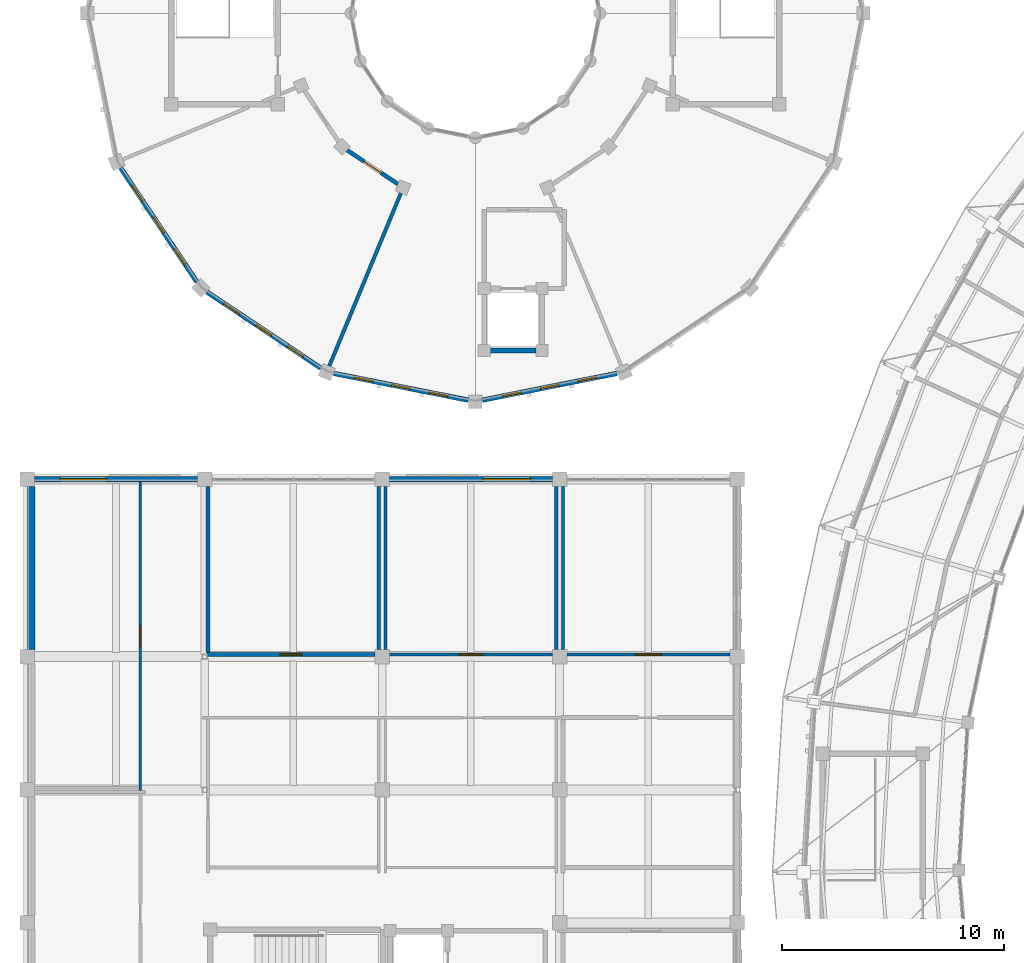
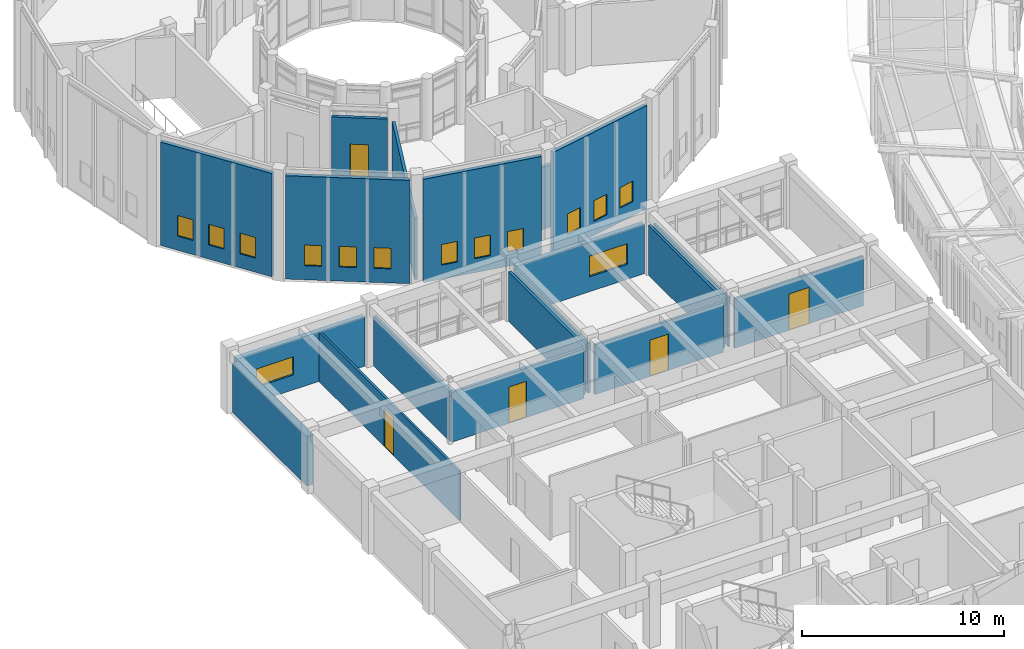
# One storey, part 125 of 149: 19 walls, 14 windows, 5 doors, 19 openings.
"""IFC4 building model written with IfcOpenShell, lengths in metres."""

from ifc_helpers import new_model, si_unit, direction, frame, frame_2d, origin, place, context, subcontext, project, spatial, rectangle, extrude, material, layer, layer_set, type_object, element, fill, save


model = new_model("IFC4")

# Units and contexts
model_context = context("Model", 3, precision=1e-05, world=origin(), true_north=direction((0.0, 1.0)))
body_context = subcontext(model_context, "Body", "Model", "MODEL_VIEW")
ifc_project = project(units=[si_unit("LENGTHUNIT", "METRE"), si_unit("AREAUNIT", "SQUARE_METRE"), si_unit("VOLUMEUNIT", "CUBIC_METRE"), si_unit("PLANEANGLEUNIT", "RADIAN"), si_unit("MASSUNIT", "GRAM", prefix="KILO")], contexts=[model_context])

# Site, building, storey
site_placement = place(None, origin())
site = spatial("IfcSite", under=ifc_project, at=site_placement, CompositionType="ELEMENT")
building_placement = place(site_placement, origin())
building = spatial("IfcBuilding", under=site, at=building_placement, Name="Celadon Cloister-Ring School", CompositionType="ELEMENT")
storey_placement = place(building_placement, frame((0.0, 0.0, 12.5)))
storey = spatial("IfcBuildingStorey", under=building, at=storey_placement, Name="L03", CompositionType="ELEMENT", Elevation=12.5)

# Wall, opening, window
ifc_material_1 = material(Name="Rendered concrete blockwork", Category="masonry")
ifc_layer_1 = layer(ifc_material_1, 0.260009765625)
ifc_layer_set_1 = layer_set([ifc_layer_1], Name="Rendered concrete blockwork")
wall_type_1 = type_object("IfcWallType", Name="WT-EX2", PredefinedType="SOLIDWALL", material=ifc_layer_set_1)
wall_1_placement = place(storey_placement, frame((0.326904296875, 76.0, 0.0), z_axis=(0.0, 0.0, 1.0), x_axis=(1.0, 0.0, 0.0)))
wall_1 = element("IfcWall", 1, at=wall_1_placement, inside=storey, type_object=wall_type_1, Name="Exterior Wall 0529", PredefinedType="SOLIDWALL", context=body_context, shape_type="SweptSolid", body=[
    extrude(rectangle(XDim=7.34619140625, YDim=0.260009765625, at=frame_2d((3.673095703125, 0.0))), origin(), (0.0, 0.0, 1.0), 3.001953125),
])
opening_1_placement = place(wall_1_placement, frame((1.154052734375, 0.0, 0.89990234375)))
opening_1 = element("IfcOpeningElement", 2, at=opening_1_placement, cuts=wall_1, Name="Opening WN-09", PredefinedType="OPENING", context=body_context, shape_type="SweptSolid", body=[
    extrude(rectangle(XDim=2.10009765625, YDim=1.10009765625, at=frame_2d((1.050048828125, 0.550048828125))), frame((0.0, 0.14013671875, 0.0), z_axis=(0.0, -1.0, 0.0), x_axis=(1.0, 0.0, 0.0)), (0.0, 0.0, 1.0), 0.280029296875),
])
ifc_material_2 = material(Name="Tempered laminated insulating glass", Category="glass")
window_type_1 = type_object("IfcWindowType", Name="WN-09", PartitioningType="DOUBLE_PANEL_VERTICAL", PredefinedType="WINDOW", material=ifc_material_2)
window_1_placement = place(opening_1_placement, origin())
window_1 = element("IfcWindow", 3, at=window_1_placement, inside=storey, type_object=window_type_1, Name="Window 1006", OverallHeight=1.10009765625, OverallWidth=2.10009765625, PartitioningType="SINGLE_PANEL", PredefinedType="WINDOW", context=body_context, shape_type="SweptSolid", body=[
    extrude(rectangle(XDim=2.10009765625, YDim=1.10009765625, at=frame_2d((1.050048828125, 0.550048828125))), frame((0.0, 0.030029296875, 0.0), z_axis=(0.0, -1.0, 0.0), x_axis=(1.0, 0.0, 0.0)), (0.0, 0.0, 1.0), 0.06005859375),
])
fill(opening_1, window_1)

wall_2_placement = place(storey_placement, frame((16.326904296875, 76.0, 0.0), z_axis=(0.0, 0.0, 1.0), x_axis=(1.0, 0.0, 0.0)))
wall_2 = element("IfcWall", 4, at=wall_2_placement, inside=storey, type_object=wall_type_1, Name="Exterior Wall 0530", PredefinedType="SOLIDWALL", context=body_context, shape_type="SweptSolid", body=[
    extrude(rectangle(XDim=7.34619140625, YDim=0.260009765625, at=frame_2d((3.673095703125, 0.0))), origin(), (0.0, 0.0, 1.0), 3.001953125),
])
opening_2_placement = place(wall_2_placement, frame((4.214111328125, 0.0, 0.89990234375)))
opening_2 = element("IfcOpeningElement", 5, at=opening_2_placement, cuts=wall_2, Name="Opening WN-19", PredefinedType="OPENING", context=body_context, shape_type="SweptSolid", body=[
    extrude(rectangle(XDim=2.14990234375, YDim=1.25, at=frame_2d((1.074951171875, 0.625))), frame((0.0, 0.14013671875, 0.0), z_axis=(0.0, -1.0, 0.0), x_axis=(1.0, 0.0, 0.0)), (0.0, 0.0, 1.0), 0.280029296875),
])
ifc_material_3 = material(Name="Tempered laminated insulating glass", Category="glass")
window_type_2 = type_object("IfcWindowType", Name="WN-19", PartitioningType="DOUBLE_PANEL_VERTICAL", PredefinedType="WINDOW", material=ifc_material_3)
window_2_placement = place(opening_2_placement, origin())
window_2 = element("IfcWindow", 6, at=window_2_placement, inside=storey, type_object=window_type_2, Name="Window 1007", OverallHeight=1.25, OverallWidth=2.14990234375, PartitioningType="SINGLE_PANEL", PredefinedType="WINDOW", context=body_context, shape_type="SweptSolid", body=[
    extrude(rectangle(XDim=2.14990234375, YDim=1.25, at=frame_2d((1.074951171875, 0.625))), frame((0.0, 0.030029296875, 0.0), z_axis=(0.0, -1.0, 0.0), x_axis=(1.0, 0.0, 0.0)), (0.0, 0.0, 1.0), 0.06005859375),
])
fill(opening_2, window_2)

# Wall, openings, windows
ifc_material_4 = material(Name="Perforated terracotta clay brick masonry", Category="masonry")
ifc_layer_2 = layer(ifc_material_4, 0.219970703125)
ifc_layer_set_2 = layer_set([ifc_layer_2], Name="Perforated terracotta clay brick masonry")
wall_type_2 = type_object("IfcWallType", Name="WT-EX4", PredefinedType="SOLIDWALL", material=ifc_layer_set_2)
wall_3_placement = place(storey_placement, frame((7.64306640625, 84.89990234375, 0.0), z_axis=(0.0, 0.0, 1.0), x_axis=(-0.555658736667, 0.831410469242, 0.0)))
wall_3 = element("IfcWall", 7, at=wall_3_placement, inside=storey, type_object=wall_type_2, Name="Exterior Wall 0282", PredefinedType="SOLIDWALL", context=body_context, shape_type="SweptSolid", body=[
    extrude(rectangle(XDim=6.169189453125, YDim=0.219970703125, at=frame_2d((3.08447265625, 0.0))), origin(), (0.0, 0.0, 1.0), 6.25),
])
opening_3_placement = place(wall_3_placement, frame((0.931884765625, 0.0, 0.85009765625)))
opening_3 = element("IfcOpeningElement", 8, at=opening_3_placement, cuts=wall_3, Name="Opening WN-11", PredefinedType="OPENING", context=body_context, shape_type="SweptSolid", body=[
    extrude(rectangle(XDim=0.85009765625, YDim=1.25, at=frame_2d((0.425048828125, 0.625))), frame((0.0, 0.1201171875, 0.0), z_axis=(0.0, -1.0, 0.0), x_axis=(1.0, 0.0, 0.0)), (0.0, 0.0, 1.0), 0.239990234375),
])
opening_4_placement = place(wall_3_placement, frame((2.659912109375, 0.0, 0.85009765625)))
opening_4 = element("IfcOpeningElement", 9, at=opening_4_placement, cuts=wall_3, Name="Opening WN-11", PredefinedType="OPENING", context=body_context, shape_type="SweptSolid", body=[
    extrude(rectangle(XDim=0.85009765625, YDim=1.25, at=frame_2d((0.425048828125, 0.625))), frame((0.0, 0.1201171875, 0.0), z_axis=(0.0, -1.0, 0.0), x_axis=(1.0, 0.0, 0.0)), (0.0, 0.0, 1.0), 0.239990234375),
])
opening_5_placement = place(wall_3_placement, frame((4.386962890625, 0.0, 0.85009765625)))
opening_5 = element("IfcOpeningElement", 10, at=opening_5_placement, cuts=wall_3, Name="Opening WN-11", PredefinedType="OPENING", context=body_context, shape_type="SweptSolid", body=[
    extrude(rectangle(XDim=0.85009765625, YDim=1.25, at=frame_2d((0.425048828125, 0.625))), frame((0.0, 0.1201171875, 0.0), z_axis=(0.0, -1.0, 0.0), x_axis=(1.0, 0.0, 0.0)), (0.0, 0.0, 1.0), 0.239990234375),
])
ifc_material_5 = material(Name="Tempered laminated insulating glass", Category="glass")
window_type_3 = type_object("IfcWindowType", Name="WN-11", PartitioningType="SINGLE_PANEL", PredefinedType="WINDOW", material=ifc_material_5)
window_3_placement = place(opening_3_placement, origin())
window_3 = element("IfcWindow", 11, at=window_3_placement, inside=storey, type_object=window_type_3, Name="Window 0741", OverallHeight=1.25, OverallWidth=0.85009765625, PartitioningType="SINGLE_PANEL", PredefinedType="WINDOW", context=body_context, shape_type="SweptSolid", body=[
    extrude(rectangle(XDim=0.85009765625, YDim=1.25, at=frame_2d((0.425048828125, 0.625))), frame((0.0, 0.030029296875, 0.0), z_axis=(0.0, -1.0, 0.0), x_axis=(1.0, 0.0, 0.0)), (0.0, 0.0, 1.0), 0.06005859375),
])
fill(opening_3, window_3)
window_4_placement = place(opening_4_placement, origin())
window_4 = element("IfcWindow", 12, at=window_4_placement, inside=storey, type_object=window_type_3, Name="Window 0742", OverallHeight=1.25, OverallWidth=0.85009765625, PartitioningType="SINGLE_PANEL", PredefinedType="WINDOW", context=body_context, shape_type="SweptSolid", body=[
    extrude(rectangle(XDim=0.85009765625, YDim=1.25, at=frame_2d((0.425048828125, 0.625))), frame((0.0, 0.030029296875, 0.0), z_axis=(0.0, -1.0, 0.0), x_axis=(1.0, 0.0, 0.0)), (0.0, 0.0, 1.0), 0.06005859375),
])
fill(opening_4, window_4)
window_5_placement = place(opening_5_placement, origin())
window_5 = element("IfcWindow", 13, at=window_5_placement, inside=storey, type_object=window_type_3, Name="Window 0743", OverallHeight=1.25, OverallWidth=0.85009765625, PartitioningType="SINGLE_PANEL", PredefinedType="WINDOW", context=body_context, shape_type="SweptSolid", body=[
    extrude(rectangle(XDim=0.85009765625, YDim=1.25, at=frame_2d((0.425048828125, 0.625))), frame((0.0, 0.030029296875, 0.0), z_axis=(0.0, -1.0, 0.0), x_axis=(1.0, 0.0, 0.0)), (0.0, 0.0, 1.0), 0.06005859375),
])
fill(opening_5, window_5)

wall_4_placement = place(storey_placement, frame((13.22900390625, 81.014892578125, 0.0), z_axis=(0.0, 0.0, 1.0), x_axis=(-0.831379966495, 0.555704374025, 0.0)))
wall_4 = element("IfcWall", 14, at=wall_4_placement, inside=storey, type_object=wall_type_2, Name="Exterior Wall 0283", PredefinedType="SOLIDWALL", context=body_context, shape_type="SweptSolid", body=[
    extrude(rectangle(XDim=6.169189453125, YDim=0.219970703125, at=frame_2d((3.08447265625, 0.0))), origin(), (0.0, 0.0, 1.0), 6.25),
])
opening_6_placement = place(wall_4_placement, frame((0.931884765625, 0.0, 0.85009765625)))
opening_6 = element("IfcOpeningElement", 15, at=opening_6_placement, cuts=wall_4, Name="Opening WN-11", PredefinedType="OPENING", context=body_context, shape_type="SweptSolid", body=[
    extrude(rectangle(XDim=0.85009765625, YDim=1.25, at=frame_2d((0.425048828125, 0.625))), frame((0.0, 0.1201171875, 0.0), z_axis=(0.0, -1.0, 0.0), x_axis=(1.0, 0.0, 0.0)), (0.0, 0.0, 1.0), 0.239990234375),
])
opening_7_placement = place(wall_4_placement, frame((2.659912109375, 0.0, 0.85009765625)))
opening_7 = element("IfcOpeningElement", 16, at=opening_7_placement, cuts=wall_4, Name="Opening WN-11", PredefinedType="OPENING", context=body_context, shape_type="SweptSolid", body=[
    extrude(rectangle(XDim=0.85009765625, YDim=1.25, at=frame_2d((0.425048828125, 0.625))), frame((0.0, 0.1201171875, 0.0), z_axis=(0.0, -1.0, 0.0), x_axis=(1.0, 0.0, 0.0)), (0.0, 0.0, 1.0), 0.239990234375),
])
opening_8_placement = place(wall_4_placement, frame((4.386962890625, 0.0, 0.85009765625)))
opening_8 = element("IfcOpeningElement", 17, at=opening_8_placement, cuts=wall_4, Name="Opening WN-11", PredefinedType="OPENING", context=body_context, shape_type="SweptSolid", body=[
    extrude(rectangle(XDim=0.85009765625, YDim=1.25, at=frame_2d((0.425048828125, 0.625))), frame((0.0, 0.1201171875, 0.0), z_axis=(0.0, -1.0, 0.0), x_axis=(1.0, 0.0, 0.0)), (0.0, 0.0, 1.0), 0.239990234375),
])
window_6_placement = place(opening_6_placement, origin())
window_6 = element("IfcWindow", 18, at=window_6_placement, inside=storey, type_object=window_type_3, Name="Window 0744", OverallHeight=1.25, OverallWidth=0.85009765625, PartitioningType="SINGLE_PANEL", PredefinedType="WINDOW", context=body_context, shape_type="SweptSolid", body=[
    extrude(rectangle(XDim=0.85009765625, YDim=1.25, at=frame_2d((0.425048828125, 0.625))), frame((0.0, 0.030029296875, 0.0), z_axis=(0.0, -1.0, 0.0), x_axis=(1.0, 0.0, 0.0)), (0.0, 0.0, 1.0), 0.06005859375),
])
fill(opening_6, window_6)
window_7_placement = place(opening_7_placement, origin())
window_7 = element("IfcWindow", 19, at=window_7_placement, inside=storey, type_object=window_type_3, Name="Window 0745", OverallHeight=1.25, OverallWidth=0.85009765625, PartitioningType="SINGLE_PANEL", PredefinedType="WINDOW", context=body_context, shape_type="SweptSolid", body=[
    extrude(rectangle(XDim=0.85009765625, YDim=1.25, at=frame_2d((0.425048828125, 0.625))), frame((0.0, 0.030029296875, 0.0), z_axis=(0.0, -1.0, 0.0), x_axis=(1.0, 0.0, 0.0)), (0.0, 0.0, 1.0), 0.06005859375),
])
fill(opening_7, window_7)
window_8_placement = place(opening_8_placement, origin())
window_8 = element("IfcWindow", 20, at=window_8_placement, inside=storey, type_object=window_type_3, Name="Window 0746", OverallHeight=1.25, OverallWidth=0.85009765625, PartitioningType="SINGLE_PANEL", PredefinedType="WINDOW", context=body_context, shape_type="SweptSolid", body=[
    extrude(rectangle(XDim=0.85009765625, YDim=1.25, at=frame_2d((0.425048828125, 0.625))), frame((0.0, 0.030029296875, 0.0), z_axis=(0.0, -1.0, 0.0), x_axis=(1.0, 0.0, 0.0)), (0.0, 0.0, 1.0), 0.06005859375),
])
fill(opening_8, window_8)

wall_5_placement = place(storey_placement, frame((19.876953125, 79.56396484375, 0.0), z_axis=(0.0, 0.0, 1.0), x_axis=(-0.980770460131, 0.195164813773, 0.0)))
wall_5 = element("IfcWall", 21, at=wall_5_placement, inside=storey, type_object=wall_type_2, Name="Exterior Wall 0285", PredefinedType="SOLIDWALL", context=body_context, shape_type="SweptSolid", body=[
    extrude(rectangle(XDim=6.169677734375, YDim=0.219970703125, at=frame_2d((3.0849609375, 0.0))), origin(), (0.0, 0.0, 1.0), 6.25),
])
opening_9_placement = place(wall_5_placement, frame((0.931884765625, 0.0, 0.85009765625)))
opening_9 = element("IfcOpeningElement", 22, at=opening_9_placement, cuts=wall_5, Name="Opening WN-11", PredefinedType="OPENING", context=body_context, shape_type="SweptSolid", body=[
    extrude(rectangle(XDim=0.85009765625, YDim=1.25, at=frame_2d((0.425048828125, 0.625))), frame((0.0, 0.1201171875, 0.0), z_axis=(0.0, -1.0, 0.0), x_axis=(1.0, 0.0, 0.0)), (0.0, 0.0, 1.0), 0.239990234375),
])
opening_10_placement = place(wall_5_placement, frame((2.659912109375, 0.0, 0.85009765625)))
opening_10 = element("IfcOpeningElement", 23, at=opening_10_placement, cuts=wall_5, Name="Opening WN-11", PredefinedType="OPENING", context=body_context, shape_type="SweptSolid", body=[
    extrude(rectangle(XDim=0.85009765625, YDim=1.25, at=frame_2d((0.425048828125, 0.625))), frame((0.0, 0.1201171875, 0.0), z_axis=(0.0, -1.0, 0.0), x_axis=(1.0, 0.0, 0.0)), (0.0, 0.0, 1.0), 0.239990234375),
])
opening_11_placement = place(wall_5_placement, frame((4.386962890625, 0.0, 0.85009765625)))
opening_11 = element("IfcOpeningElement", 24, at=opening_11_placement, cuts=wall_5, Name="Opening WN-11", PredefinedType="OPENING", context=body_context, shape_type="SweptSolid", body=[
    extrude(rectangle(XDim=0.85009765625, YDim=1.25, at=frame_2d((0.425048828125, 0.625))), frame((0.0, 0.1201171875, 0.0), z_axis=(0.0, -1.0, 0.0), x_axis=(1.0, 0.0, 0.0)), (0.0, 0.0, 1.0), 0.239990234375),
])
window_9_placement = place(opening_9_placement, origin())
window_9 = element("IfcWindow", 25, at=window_9_placement, inside=storey, type_object=window_type_3, Name="Window 0747", OverallHeight=1.25, OverallWidth=0.85009765625, PartitioningType="SINGLE_PANEL", PredefinedType="WINDOW", context=body_context, shape_type="SweptSolid", body=[
    extrude(rectangle(XDim=0.85009765625, YDim=1.25, at=frame_2d((0.425048828125, 0.625))), frame((0.0, 0.030029296875, 0.0), z_axis=(0.0, -1.0, 0.0), x_axis=(1.0, 0.0, 0.0)), (0.0, 0.0, 1.0), 0.06005859375),
])
fill(opening_9, window_9)
window_10_placement = place(opening_10_placement, origin())
window_10 = element("IfcWindow", 26, at=window_10_placement, inside=storey, type_object=window_type_3, Name="Window 0748", OverallHeight=1.25, OverallWidth=0.85009765625, PartitioningType="SINGLE_PANEL", PredefinedType="WINDOW", context=body_context, shape_type="SweptSolid", body=[
    extrude(rectangle(XDim=0.85009765625, YDim=1.25, at=frame_2d((0.425048828125, 0.625))), frame((0.0, 0.030029296875, 0.0), z_axis=(0.0, -1.0, 0.0), x_axis=(1.0, 0.0, 0.0)), (0.0, 0.0, 1.0), 0.06005859375),
])
fill(opening_10, window_10)
window_11_placement = place(opening_11_placement, origin())
window_11 = element("IfcWindow", 27, at=window_11_placement, inside=storey, type_object=window_type_3, Name="Window 0749", OverallHeight=1.25, OverallWidth=0.85009765625, PartitioningType="SINGLE_PANEL", PredefinedType="WINDOW", context=body_context, shape_type="SweptSolid", body=[
    extrude(rectangle(XDim=0.85009765625, YDim=1.25, at=frame_2d((0.425048828125, 0.625))), frame((0.0, 0.030029296875, 0.0), z_axis=(0.0, -1.0, 0.0), x_axis=(1.0, 0.0, 0.0)), (0.0, 0.0, 1.0), 0.06005859375),
])
fill(opening_11, window_11)

wall_6_placement = place(storey_placement, frame((26.573974609375, 80.76806640625, 0.0), z_axis=(0.0, 0.0, 1.0), x_axis=(-0.980770460131, -0.195164813773, 0.0)))
wall_6 = element("IfcWall", 28, at=wall_6_placement, inside=storey, type_object=wall_type_2, Name="Exterior Wall 0286", PredefinedType="SOLIDWALL", context=body_context, shape_type="SweptSolid", body=[
    extrude(rectangle(XDim=6.169677734375, YDim=0.219970703125, at=frame_2d((3.0849609375, 0.0))), origin(), (0.0, 0.0, 1.0), 6.25),
])
opening_12_placement = place(wall_6_placement, frame((0.931884765625, 0.0, 0.85009765625)))
opening_12 = element("IfcOpeningElement", 29, at=opening_12_placement, cuts=wall_6, Name="Opening WN-11", PredefinedType="OPENING", context=body_context, shape_type="SweptSolid", body=[
    extrude(rectangle(XDim=0.85009765625, YDim=1.25, at=frame_2d((0.425048828125, 0.625))), frame((0.0, 0.1201171875, 0.0), z_axis=(0.0, -1.0, 0.0), x_axis=(1.0, 0.0, 0.0)), (0.0, 0.0, 1.0), 0.239990234375),
])
opening_13_placement = place(wall_6_placement, frame((2.659912109375, 0.0, 0.85009765625)))
opening_13 = element("IfcOpeningElement", 30, at=opening_13_placement, cuts=wall_6, Name="Opening WN-11", PredefinedType="OPENING", context=body_context, shape_type="SweptSolid", body=[
    extrude(rectangle(XDim=0.85009765625, YDim=1.25, at=frame_2d((0.425048828125, 0.625))), frame((0.0, 0.1201171875, 0.0), z_axis=(0.0, -1.0, 0.0), x_axis=(1.0, 0.0, 0.0)), (0.0, 0.0, 1.0), 0.239990234375),
])
opening_14_placement = place(wall_6_placement, frame((4.386962890625, 0.0, 0.85009765625)))
opening_14 = element("IfcOpeningElement", 31, at=opening_14_placement, cuts=wall_6, Name="Opening WN-11", PredefinedType="OPENING", context=body_context, shape_type="SweptSolid", body=[
    extrude(rectangle(XDim=0.85009765625, YDim=1.25, at=frame_2d((0.425048828125, 0.625))), frame((0.0, 0.1201171875, 0.0), z_axis=(0.0, -1.0, 0.0), x_axis=(1.0, 0.0, 0.0)), (0.0, 0.0, 1.0), 0.239990234375),
])
window_12_placement = place(opening_12_placement, origin())
window_12 = element("IfcWindow", 32, at=window_12_placement, inside=storey, type_object=window_type_3, Name="Window 0750", OverallHeight=1.25, OverallWidth=0.85009765625, PartitioningType="SINGLE_PANEL", PredefinedType="WINDOW", context=body_context, shape_type="SweptSolid", body=[
    extrude(rectangle(XDim=0.85009765625, YDim=1.25, at=frame_2d((0.425048828125, 0.625))), frame((0.0, 0.030029296875, 0.0), z_axis=(0.0, -1.0, 0.0), x_axis=(1.0, 0.0, 0.0)), (0.0, 0.0, 1.0), 0.06005859375),
])
fill(opening_12, window_12)
window_13_placement = place(opening_13_placement, origin())
window_13 = element("IfcWindow", 33, at=window_13_placement, inside=storey, type_object=window_type_3, Name="Window 0751", OverallHeight=1.25, OverallWidth=0.85009765625, PartitioningType="SINGLE_PANEL", PredefinedType="WINDOW", context=body_context, shape_type="SweptSolid", body=[
    extrude(rectangle(XDim=0.85009765625, YDim=1.25, at=frame_2d((0.425048828125, 0.625))), frame((0.0, 0.030029296875, 0.0), z_axis=(0.0, -1.0, 0.0), x_axis=(1.0, 0.0, 0.0)), (0.0, 0.0, 1.0), 0.06005859375),
])
fill(opening_13, window_13)
window_14_placement = place(opening_14_placement, origin())
window_14 = element("IfcWindow", 34, at=window_14_placement, inside=storey, type_object=window_type_3, Name="Window 0752", OverallHeight=1.25, OverallWidth=0.85009765625, PartitioningType="SINGLE_PANEL", PredefinedType="WINDOW", context=body_context, shape_type="SweptSolid", body=[
    extrude(rectangle(XDim=0.85009765625, YDim=1.25, at=frame_2d((0.425048828125, 0.625))), frame((0.0, 0.030029296875, 0.0), z_axis=(0.0, -1.0, 0.0), x_axis=(1.0, 0.0, 0.0)), (0.0, 0.0, 1.0), 0.06005859375),
])
fill(opening_14, window_14)

# Wall
ifc_material_6 = material(Name="Concrete C40/50", Category="concrete")
ifc_layer_3 = layer(ifc_material_6, 0.35009765625)
ifc_layer_set_3 = layer_set([ifc_layer_3], Name="Concrete C40/50")
wall_type_3 = type_object("IfcWallType", Name="WT-FW2", PredefinedType="SHEAR", material=ifc_layer_set_3)
wall_7_placement = place(storey_placement, frame((0.175048828125, 68.326904296875, 0.0), z_axis=(0.0, 0.0, 1.0), x_axis=(0.0, 1.0, 0.0)))
element("IfcWall", 35, at=wall_7_placement, inside=storey, type_object=wall_type_3, Name="Exterior Wall 0542", PredefinedType="SHEAR", context=body_context, shape_type="SweptSolid", body=[
    extrude(rectangle(XDim=7.34619140625, YDim=0.35009765625, at=frame_2d((3.673095703125, 0.0))), origin(), (0.0, 0.0, 1.0), 3.001953125),
])

# Wall, opening, door
ifc_material_7 = material(Name="Plastered hollow concrete masonry", Category="masonry")
ifc_layer_4 = layer(ifc_material_7, 0.179931640625)
ifc_layer_set_4 = layer_set([ifc_layer_4], Name="Plastered hollow concrete masonry")
wall_type_4 = type_object("IfcWallType", Name="WT-PT2", PredefinedType="PARTITIONING", material=ifc_layer_set_4)
wall_8_placement = place(storey_placement, frame((14.416015625, 90.839111328125, 0.0), z_axis=(0.0, 0.0, 1.0), x_axis=(0.831318045056, -0.555797002478, 0.0)))
wall_8 = element("IfcWall", 36, at=wall_8_placement, inside=storey, type_object=wall_type_4, Name="Interior Wall 0755", PredefinedType="PARTITIONING", context=body_context, shape_type="SweptSolid", body=[
    extrude(rectangle(XDim=2.772705078125, YDim=0.179931640625, at=frame_2d((1.38623046875, 0.0))), origin(), (0.0, 0.0, 1.0), 3.699951171875),
])
opening_15_placement = place(wall_8_placement, frame((0.926025390625, 0.0, 0.0)))
opening_15 = element("IfcOpeningElement", 37, at=opening_15_placement, cuts=wall_8, Name="Opening D-0276", PredefinedType="OPENING", context=body_context, shape_type="SweptSolid", body=[
    extrude(rectangle(XDim=0.919921875, YDim=2.10009765625, at=frame_2d((0.4599609375, 1.050048828125))), frame((0.0, 0.10009765625, 0.0), z_axis=(0.0, -1.0, 0.0), x_axis=(1.0, 0.0, 0.0)), (0.0, 0.0, 1.0), 0.199951171875),
])
ifc_material_8 = material(Name="Solid-core fire-rated hardwood leaf", Category="wood")
door_type_1 = type_object("IfcDoorType", Name="DT-02", OperationType="NOTDEFINED", PredefinedType="DOOR", material=ifc_material_8)
door_1_placement = place(opening_15_placement, origin())
door_1 = element("IfcDoor", 38, at=door_1_placement, inside=storey, type_object=door_type_1, Name="Door D-0276", OperationType="SINGLE_SWING_RIGHT", OverallHeight=2.10009765625, OverallWidth=0.919921875, PredefinedType="DOOR", context=body_context, shape_type="SweptSolid", body=[
    extrude(rectangle(XDim=0.919921875, YDim=2.10009765625, at=frame_2d((0.4599609375, 1.050048828125))), frame((0.0, 0.02490234375, 0.0), z_axis=(0.0, -1.0, 0.0), x_axis=(1.0, 0.0, 0.0)), (0.0, 0.0, 1.0), 0.050048828125),
])
fill(opening_15, door_1)

# Walls
ifc_material_9 = material(Name="Plastered hollow concrete masonry", Category="masonry")
ifc_layer_5 = layer(ifc_material_9, 0.159912109375)
ifc_layer_set_5 = layer_set([ifc_layer_5], Name="Plastered hollow concrete masonry")
wall_type_5 = type_object("IfcWallType", Name="WT-PT3", PredefinedType="PARTITIONING", material=ifc_layer_set_5)
wall_9_placement = place(storey_placement, frame((16.844970703125, 88.89990234375, 0.0), z_axis=(0.0, 0.0, 1.0), x_axis=(-0.382683896966, -0.923879340067, 0.0)))
element("IfcWall", 39, at=wall_9_placement, inside=storey, type_object=wall_type_5, Name="Interior Wall 0741", PredefinedType="PARTITIONING", context=body_context, shape_type="SweptSolid", body=[
    extrude(rectangle(XDim=8.4404296875, YDim=0.159912109375, at=frame_2d((4.22021484375, 0.0))), origin(), (0.0, 0.0, 1.0), 3.699951171875),
])
wall_10_placement = place(storey_placement, frame((15.85009765625, 75.68310546875, 0.0), z_axis=(0.0, 0.0, 1.0), x_axis=(0.0, -1.0, 0.0)))
element("IfcWall", 40, at=wall_10_placement, inside=storey, type_object=wall_type_5, Name="Interior Wall 1091", PredefinedType="PARTITIONING", context=body_context, shape_type="SweptSolid", body=[
    extrude(rectangle(XDim=7.3662109375, YDim=0.159912109375, at=frame_2d((3.68310546875, 0.0))), origin(), (0.0, 0.0, 1.0), 3.001953125),
])

# Wall, opening, door
wall_11_placement = place(storey_placement, frame((15.68310546875, 68.10009765625, 0.0), z_axis=(0.0, 0.0, 1.0), x_axis=(-1.0, 0.0, 0.0)))
wall_11 = element("IfcWall", 41, at=wall_11_placement, inside=storey, type_object=wall_type_5, Name="Interior Wall 1092", PredefinedType="PARTITIONING", context=body_context, shape_type="SweptSolid", body=[
    extrude(rectangle(XDim=7.5810546875, YDim=0.159912109375, at=frame_2d((3.79052734375, 0.0))), origin(), (0.0, 0.0, 1.0), 3.001953125),
])
opening_16_placement = place(wall_11_placement, frame((3.300048828125, 0.0, 0.0)))
opening_16 = element("IfcOpeningElement", 42, at=opening_16_placement, cuts=wall_11, Name="Opening D-0387", PredefinedType="OPENING", context=body_context, shape_type="SweptSolid", body=[
    extrude(rectangle(XDim=0.97998046875, YDim=2.199951171875, at=frame_2d((0.489990234375, 1.10009765625))), frame((0.0, 0.08984375, 0.0), z_axis=(0.0, -1.0, 0.0), x_axis=(1.0, 0.0, 0.0)), (0.0, 0.0, 1.0), 0.179931640625),
])
ifc_material_10 = material(Name="Solid-core fire-rated hardwood leaf", Category="wood")
door_type_2 = type_object("IfcDoorType", Name="DT-07", OperationType="NOTDEFINED", PredefinedType="DOOR", material=ifc_material_10)
door_2_placement = place(opening_16_placement, origin())
door_2 = element("IfcDoor", 43, at=door_2_placement, inside=storey, type_object=door_type_2, Name="Door D-0387", OperationType="SINGLE_SWING_LEFT", OverallHeight=2.199951171875, OverallWidth=0.97998046875, PredefinedType="DOOR", context=body_context, shape_type="SweptSolid", body=[
    extrude(rectangle(XDim=0.97998046875, YDim=2.199951171875, at=frame_2d((0.489990234375, 1.10009765625))), frame((0.0, 0.02490234375, 0.0), z_axis=(0.0, -1.0, 0.0), x_axis=(1.0, 0.0, 0.0)), (0.0, 0.0, 1.0), 0.050048828125),
])
fill(opening_16, door_2)

# Walls
wall_12_placement = place(storey_placement, frame((8.14990234375, 68.18310546875, 0.0), z_axis=(0.0, 0.0, 1.0), x_axis=(0.0, 1.0, 0.0)))
element("IfcWall", 44, at=wall_12_placement, inside=storey, type_object=wall_type_5, Name="Interior Wall 1093", PredefinedType="PARTITIONING", context=body_context, shape_type="SweptSolid", body=[
    extrude(rectangle(XDim=7.5, YDim=0.159912109375, at=frame_2d((3.75, 0.0))), origin(), (0.0, 0.0, 1.0), 3.001953125),
])
ifc_material_11 = material(Name="Acoustic mineral-wool drywall partition")
ifc_layer_6 = layer(ifc_material_11, 0.139892578125)
ifc_layer_set_6 = layer_set([ifc_layer_6], Name="Acoustic mineral-wool drywall partition")
wall_type_6 = type_object("IfcWallType", Name="WT-PT4", PredefinedType="PARTITIONING", material=ifc_layer_set_6)
wall_13_placement = place(storey_placement, frame((23.85009765625, 75.68310546875, 0.0), z_axis=(0.0, 0.0, 1.0), x_axis=(0.0, -1.0, 0.0)))
element("IfcWall", 45, at=wall_13_placement, inside=storey, type_object=wall_type_6, Name="Interior Wall 1094", PredefinedType="PARTITIONING", context=body_context, shape_type="SweptSolid", body=[
    extrude(rectangle(XDim=7.3662109375, YDim=0.139892578125, at=frame_2d((3.68310546875, 0.0))), origin(), (0.0, 0.0, 1.0), 3.001953125),
])

# Wall, opening, door
wall_14_placement = place(storey_placement, frame((23.68310546875, 68.10009765625, 0.0), z_axis=(0.0, 0.0, 1.0), x_axis=(-1.0, 0.0, 0.0)))
wall_14 = element("IfcWall", 46, at=wall_14_placement, inside=storey, type_object=wall_type_6, Name="Interior Wall 1095", PredefinedType="PARTITIONING", context=body_context, shape_type="SweptSolid", body=[
    extrude(rectangle(XDim=7.3662109375, YDim=0.139892578125, at=frame_2d((3.68310546875, 0.0))), origin(), (0.0, 0.0, 1.0), 3.001953125),
])
opening_17_placement = place(wall_14_placement, frame((3.153076171875, 0.0, 0.0)))
opening_17 = element("IfcOpeningElement", 47, at=opening_17_placement, cuts=wall_14, Name="Opening D-0388", PredefinedType="OPENING", context=body_context, shape_type="SweptSolid", body=[
    extrude(rectangle(XDim=1.06005859375, YDim=2.199951171875, at=frame_2d((0.530029296875, 1.10009765625))), frame((0.0, 0.080078125, 0.0), z_axis=(0.0, -1.0, 0.0), x_axis=(1.0, 0.0, 0.0)), (0.0, 0.0, 1.0), 0.159912109375),
])
ifc_material_12 = material(Name="Solid-core fire-rated hardwood leaf", Category="wood")
door_type_3 = type_object("IfcDoorType", Name="DT-08", OperationType="NOTDEFINED", PredefinedType="DOOR", material=ifc_material_12)
door_3_placement = place(opening_17_placement, origin())
door_3 = element("IfcDoor", 48, at=door_3_placement, inside=storey, type_object=door_type_3, Name="Door D-0388", OperationType="SINGLE_SWING_RIGHT", OverallHeight=2.199951171875, OverallWidth=1.06005859375, PredefinedType="DOOR", context=body_context, shape_type="SweptSolid", body=[
    extrude(rectangle(XDim=1.06005859375, YDim=2.199951171875, at=frame_2d((0.530029296875, 1.10009765625))), frame((0.0, 0.02490234375, 0.0), z_axis=(0.0, -1.0, 0.0), x_axis=(1.0, 0.0, 0.0)), (0.0, 0.0, 1.0), 0.050048828125),
])
fill(opening_17, door_3)

# Wall
wall_15_placement = place(storey_placement, frame((16.14990234375, 68.31689453125, 0.0), z_axis=(0.0, 0.0, 1.0), x_axis=(0.0, 1.0, 0.0)))
element("IfcWall", 49, at=wall_15_placement, inside=storey, type_object=wall_type_6, Name="Interior Wall 1096", PredefinedType="PARTITIONING", context=body_context, shape_type="SweptSolid", body=[
    extrude(rectangle(XDim=7.3662109375, YDim=0.139892578125, at=frame_2d((3.68310546875, 0.0))), origin(), (0.0, 0.0, 1.0), 3.001953125),
])

# Wall, opening, door
ifc_material_13 = material(Name="Acoustic mineral-wool drywall partition")
ifc_layer_7 = layer(ifc_material_13, 0.1201171875)
ifc_layer_set_7 = layer_set([ifc_layer_7], Name="Acoustic mineral-wool drywall partition")
wall_type_7 = type_object("IfcWallType", Name="WT-PT5", PredefinedType="PARTITIONING", material=ifc_layer_set_7)
wall_16_placement = place(storey_placement, frame((31.68310546875, 68.10009765625, 0.0), z_axis=(0.0, 0.0, 1.0), x_axis=(-1.0, 0.0, 0.0)))
wall_16 = element("IfcWall", 50, at=wall_16_placement, inside=storey, type_object=wall_type_7, Name="Interior Wall 1097", PredefinedType="PARTITIONING", context=body_context, shape_type="SweptSolid", body=[
    extrude(rectangle(XDim=7.3662109375, YDim=0.1201171875, at=frame_2d((3.68310546875, 0.0))), origin(), (0.0, 0.0, 1.0), 3.001953125),
])
opening_18_placement = place(wall_16_placement, frame((3.10791015625, 0.0, 0.0)))
opening_18 = element("IfcOpeningElement", 51, at=opening_18_placement, cuts=wall_16, Name="Opening D-0389", PredefinedType="OPENING", context=body_context, shape_type="SweptSolid", body=[
    extrude(rectangle(XDim=1.14990234375, YDim=2.199951171875, at=frame_2d((0.574951171875, 1.10009765625))), frame((0.0, 0.070068359375, 0.0), z_axis=(0.0, -1.0, 0.0), x_axis=(1.0, 0.0, 0.0)), (0.0, 0.0, 1.0), 0.14013671875),
])
ifc_material_14 = material(Name="Galvanised fire-rated hollow steel leaf", Category="steel")
door_type_4 = type_object("IfcDoorType", Name="DT-09", OperationType="NOTDEFINED", PredefinedType="DOOR", material=ifc_material_14)
door_4_placement = place(opening_18_placement, origin())
door_4 = element("IfcDoor", 52, at=door_4_placement, inside=storey, type_object=door_type_4, Name="Door D-0389", OperationType="SINGLE_SWING_LEFT", OverallHeight=2.199951171875, OverallWidth=1.14990234375, PredefinedType="DOOR", context=body_context, shape_type="SweptSolid", body=[
    extrude(rectangle(XDim=1.14990234375, YDim=2.199951171875, at=frame_2d((0.574951171875, 1.10009765625))), frame((0.0, 0.02490234375, 0.0), z_axis=(0.0, -1.0, 0.0), x_axis=(1.0, 0.0, 0.0)), (0.0, 0.0, 1.0), 0.050048828125),
])
fill(opening_18, door_4)

# Wall
wall_17_placement = place(storey_placement, frame((24.14990234375, 68.31689453125, 0.0), z_axis=(0.0, 0.0, 1.0), x_axis=(0.0, 1.0, 0.0)))
element("IfcWall", 53, at=wall_17_placement, inside=storey, type_object=wall_type_7, Name="Interior Wall 1098", PredefinedType="PARTITIONING", context=body_context, shape_type="SweptSolid", body=[
    extrude(rectangle(XDim=7.3662109375, YDim=0.1201171875, at=frame_2d((3.68310546875, 0.0))), origin(), (0.0, 0.0, 1.0), 3.001953125),
])

# Wall, opening, door
wall_18_placement = place(storey_placement, frame((5.10009765625, 75.866943359375, 0.0), z_axis=(0.0, 0.0, 1.0), x_axis=(0.0, -1.0, 0.0)))
wall_18 = element("IfcWall", 54, at=wall_18_placement, inside=storey, type_object=wall_type_7, Name="Interior Wall 1110", PredefinedType="PARTITIONING", context=body_context, shape_type="SweptSolid", body=[
    extrude(rectangle(XDim=13.89404296875, YDim=0.1201171875, at=frame_2d((6.947021484375, 0.0))), origin(), (0.0, 0.0, 1.0), 3.001953125),
])
opening_19_placement = place(wall_18_placement, frame((6.471923828125, 0.0, 0.0)))
opening_19 = element("IfcOpeningElement", 55, at=opening_19_placement, cuts=wall_18, Name="Opening D-0394", PredefinedType="OPENING", context=body_context, shape_type="SweptSolid", body=[
    extrude(rectangle(XDim=0.949951171875, YDim=2.280029296875, at=frame_2d((0.47509765625, 1.14013671875))), frame((0.0, 0.070068359375, 0.0), z_axis=(0.0, -1.0, 0.0), x_axis=(1.0, 0.0, 0.0)), (0.0, 0.0, 1.0), 0.14013671875),
])
ifc_material_15 = material(Name="Solid-core fire-rated hardwood leaf", Category="wood")
door_type_5 = type_object("IfcDoorType", Name="DT-14", OperationType="NOTDEFINED", PredefinedType="DOOR", material=ifc_material_15)
door_5_placement = place(opening_19_placement, origin())
door_5 = element("IfcDoor", 56, at=door_5_placement, inside=storey, type_object=door_type_5, Name="Door D-0394", OperationType="SINGLE_SWING_RIGHT", OverallHeight=2.280029296875, OverallWidth=0.949951171875, PredefinedType="DOOR", context=body_context, shape_type="SweptSolid", body=[
    extrude(rectangle(XDim=0.949951171875, YDim=2.280029296875, at=frame_2d((0.47509765625, 1.14013671875))), frame((0.0, 0.02490234375, 0.0), z_axis=(0.0, -1.0, 0.0), x_axis=(1.0, 0.0, 0.0)), (0.0, 0.0, 1.0), 0.050048828125),
])
fill(opening_19, door_5)

# Wall
ifc_material_16 = material(Name="Concrete C40/50", Category="concrete")
ifc_layer_8 = layer(ifc_material_16, 0.219970703125)
ifc_layer_set_8 = layer_set([ifc_layer_8], Name="Concrete C40/50")
wall_type_8 = type_object("IfcWallType", Name="WT-SH2", PredefinedType="SHEAR", material=ifc_layer_set_8)
wall_19_placement = place(storey_placement, frame((20.866943359375, 81.800048828125, 0.0), z_axis=(0.0, 0.0, 1.0), x_axis=(1.0, 0.0, 0.0)))
element("IfcWall", 57, at=wall_19_placement, inside=storey, type_object=wall_type_8, Name="Interior Wall 0359", PredefinedType="SHEAR", context=body_context, shape_type="SweptSolid", body=[
    extrude(rectangle(XDim=2.066162109375, YDim=0.219970703125, at=frame_2d((1.033203125, 0.0))), origin(), (0.0, 0.0, 1.0), 3.739990234375),
])

save(model, "model.ifc")
